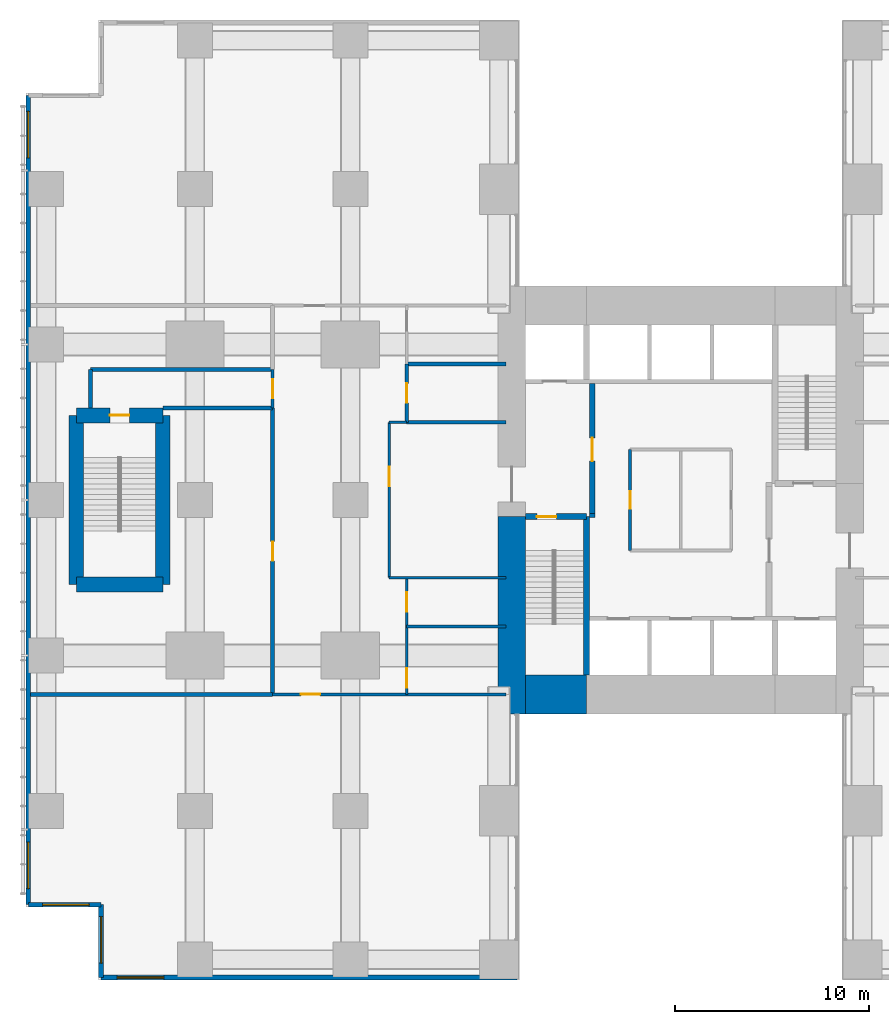
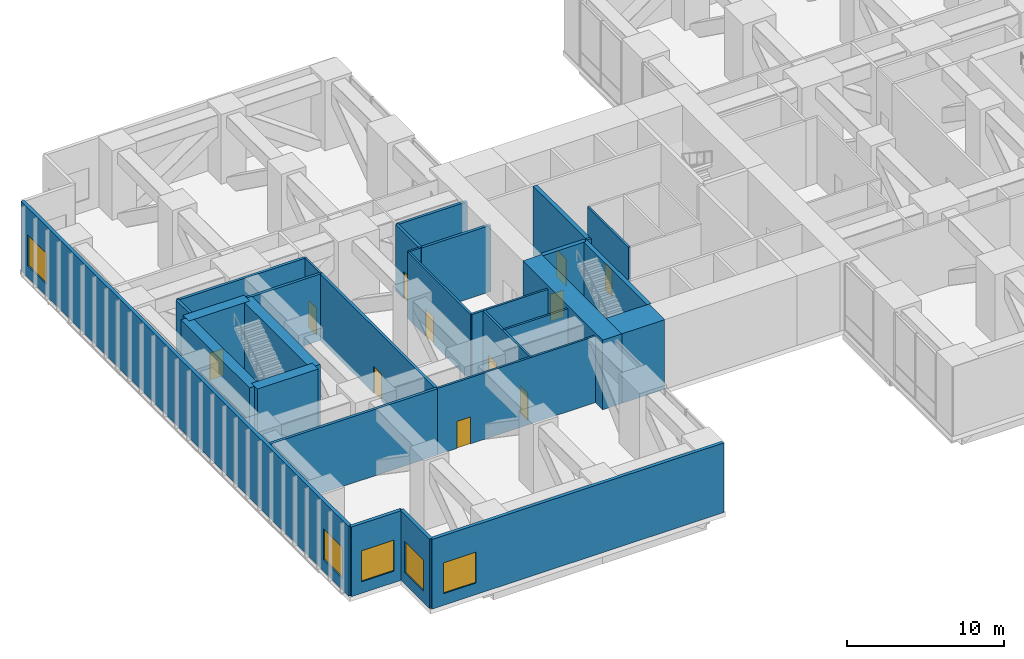
# One storey, part 11 of 15: 30 walls, 11 doors, 5 windows, 16 openings.
"""IFC4 building model written with IfcOpenShell, lengths in metres."""

from ifc_helpers import new_model, si_unit, direction, frame, frame_2d, origin, place, context, subcontext, project, spatial, rectangle, extrude, material, layer, layer_set, type_object, element, fill, save


model = new_model("IFC4")

# Units and contexts
model_context = context("Model", 3, precision=1e-05, world=origin(), true_north=direction((0.0, 1.0)))
body_context = subcontext(model_context, "Body", "Model", "MODEL_VIEW")
ifc_project = project(units=[si_unit("LENGTHUNIT", "METRE"), si_unit("AREAUNIT", "SQUARE_METRE"), si_unit("VOLUMEUNIT", "CUBIC_METRE"), si_unit("PLANEANGLEUNIT", "RADIAN"), si_unit("MASSUNIT", "GRAM", prefix="KILO")], contexts=[model_context])

# Site, building, storey
site_placement = place(None, origin())
site = spatial("IfcSite", under=ifc_project, at=site_placement, CompositionType="ELEMENT")
building_placement = place(site_placement, origin())
building = spatial("IfcBuilding", under=site, at=building_placement, Name="Cleftline Residences", CompositionType="ELEMENT")
storey_placement = place(building_placement, frame((0.0, 0.0, 171.800048828125)))
storey = spatial("IfcBuildingStorey", under=building, at=storey_placement, Name="L45", CompositionType="ELEMENT", Elevation=171.800048828125)

# Walls
ifc_material_1 = material(Name="Concrete B70", Category="concrete")
ifc_layer_1 = layer(ifc_material_1, 1.39990234375)
ifc_layer_set_1 = layer_set([ifc_layer_1], Name="CORE WALL 1400")
wall_type_1 = type_object("IfcWallType", Name="CORE WALL 1400", PredefinedType="SHEAR", material=ifc_layer_set_1)
wall_1_placement = place(storey_placement, frame((24.300048828125, 13.0, 0.0), z_axis=(0.0, 0.0, 1.0), x_axis=(0.0, 1.0, 0.0)))
element("IfcWall", 1, at=wall_1_placement, inside=storey, type_object=wall_type_1, Name="Core wall W0", PredefinedType="SHEAR", context=body_context, shape_type="SweptSolid", body=[
    extrude(rectangle(XDim=10.14990234375, YDim=1.39990234375, at=frame_2d((5.074951171875, 0.0))), origin(), (0.0, 0.0, 1.0), 5.39990234375),
])
ifc_material_2 = material(Name="Concrete B70", Category="concrete")
ifc_layer_2 = layer(ifc_material_2, 2.0)
ifc_layer_set_2 = layer_set([ifc_layer_2], Name="CORE WALL 2000")
wall_type_2 = type_object("IfcWallType", Name="CORE WALL 2000", PredefinedType="SHEAR", material=ifc_layer_set_2)
wall_2_placement = place(storey_placement, frame((25.0, 14.0, 0.0), z_axis=(0.0, 0.0, 1.0), x_axis=(1.0, 0.0, 0.0)))
element("IfcWall", 2, at=wall_2_placement, inside=storey, type_object=wall_type_2, Name="Core wall S1", PredefinedType="SHEAR", context=body_context, shape_type="SweptSolid", body=[
    extrude(rectangle(XDim=3.14990234375, YDim=2.0, at=frame_2d((1.574951171875, 0.0))), origin(), (0.0, 0.0, 1.0), 5.39990234375),
])
ifc_material_3 = material(Name="Concrete B70", Category="concrete")
ifc_layer_3 = layer(ifc_material_3, 0.300048828125)
ifc_layer_set_3 = layer_set([ifc_layer_3], Name="CORE WALL 300")
wall_type_3 = type_object("IfcWallType", Name="CORE WALL 300", PredefinedType="SHEAR", material=ifc_layer_set_3)
wall_3_placement = place(storey_placement, frame((28.14990234375, 15.0, 0.0), z_axis=(0.0, 0.0, 1.0), x_axis=(0.0, 1.0, 0.0)))
element("IfcWall", 3, at=wall_3_placement, inside=storey, type_object=wall_type_3, Name="Core wall SA-E", PredefinedType="SHEAR", context=body_context, shape_type="SweptSolid", body=[
    extrude(rectangle(XDim=8.14990234375, YDim=0.300048828125, at=frame_2d((4.074951171875, 0.0))), origin(), (0.0, 0.0, 1.0), 5.39990234375),
])

# Wall, opening, door
wall_4_placement = place(storey_placement, frame((25.0, 23.14990234375, 0.0), z_axis=(0.0, 0.0, 1.0), x_axis=(1.0, 0.0, 0.0)))
wall_4 = element("IfcWall", 4, at=wall_4_placement, inside=storey, type_object=wall_type_3, Name="Core wall SA-N", PredefinedType="SHEAR", context=body_context, shape_type="SweptSolid", body=[
    extrude(rectangle(XDim=3.14990234375, YDim=0.300048828125, at=frame_2d((1.574951171875, 0.0))), origin(), (0.0, 0.0, 1.0), 5.39990234375),
])
opening_1_placement = place(wall_4_placement, frame((0.60009765625, 0.0, 0.0)))
opening_1 = element("IfcOpeningElement", 5, at=opening_1_placement, cuts=wall_4, Name="Opening D5", PredefinedType="OPENING", context=body_context, shape_type="SweptSolid", body=[
    extrude(rectangle(XDim=1.0, YDim=2.10009765625, at=frame_2d((0.5, 1.050048828125))), frame((0.0, 0.159912109375, 0.0), z_axis=(0.0, -1.0, 0.0), x_axis=(1.0, 0.0, 0.0)), (0.0, 0.0, 1.0), 0.320068359375),
])
ifc_material_4 = material(Name="Steel", Category="steel")
door_type_1 = type_object("IfcDoorType", Name="STAIR DOOR 1000X2100", OperationType="SINGLE_SWING_LEFT", PredefinedType="DOOR", material=ifc_material_4)
door_1_placement = place(opening_1_placement, origin())
door_1 = element("IfcDoor", 6, at=door_1_placement, inside=storey, type_object=door_type_1, Name="Stair A door", OperationType="SINGLE_SWING_RIGHT", OverallHeight=2.10009765625, OverallWidth=1.0, PredefinedType="DOOR", context=body_context, shape_type="SweptSolid", body=[
    extrude(rectangle(XDim=1.0, YDim=2.10009765625, at=frame_2d((0.5, 1.050048828125))), frame((0.0, 0.02490234375, 0.0), z_axis=(0.0, -1.0, 0.0), x_axis=(1.0, 0.0, 0.0)), (0.0, 0.0, 1.0), 0.050048828125),
])
fill(opening_1, door_1)

# Wall, openings, windows
ifc_material_5 = material(Name="Rendered reinforced concrete blockwork", Category="masonry")
ifc_layer_4 = layer(ifc_material_5, 0.25)
ifc_layer_set_4 = layer_set([ifc_layer_4], Name="EXTERNAL WALL 250")
wall_type_4 = type_object("IfcWallType", Name="EXTERNAL WALL 250", PredefinedType="SOLIDWALL", material=ifc_layer_set_4)
wall_5_placement = place(storey_placement, frame((-0.574951171875, 44.824951171875, 0.0), z_axis=(0.0, 0.0, 1.0), x_axis=(0.0, -1.0, 0.0)))
wall_5 = element("IfcWall", 7, at=wall_5_placement, inside=storey, type_object=wall_type_4, Name="External wall", PredefinedType="SOLIDWALL", context=body_context, shape_type="SweptSolid", body=[
    extrude(rectangle(XDim=41.64990234375, YDim=0.25, at=frame_2d((20.824951171875, 0.0))), origin(), (0.0, 0.0, 1.0), 5.39990234375),
])
opening_2_placement = place(wall_5_placement, frame((0.824951171875, 0.0, 0.89990234375)))
opening_2 = element("IfcOpeningElement", 8, at=opening_2_placement, cuts=wall_5, Name="Opening W9", PredefinedType="OPENING", context=body_context, shape_type="SweptSolid", body=[
    extrude(rectangle(XDim=2.39990234375, YDim=2.39990234375, at=frame_2d((1.199951171875, 1.199951171875))), frame((0.0, 0.135009765625, 0.0), z_axis=(0.0, -1.0, 0.0), x_axis=(1.0, 0.0, 0.0)), (0.0, 0.0, 1.0), 0.27001953125),
])
opening_3_placement = place(wall_5_placement, frame((38.425048828125, 0.0, 0.89990234375)))
opening_3 = element("IfcOpeningElement", 9, at=opening_3_placement, cuts=wall_5, Name="Opening W9", PredefinedType="OPENING", context=body_context, shape_type="SweptSolid", body=[
    extrude(rectangle(XDim=2.39990234375, YDim=2.39990234375, at=frame_2d((1.199951171875, 1.199951171875))), frame((0.0, 0.135009765625, 0.0), z_axis=(0.0, -1.0, 0.0), x_axis=(1.0, 0.0, 0.0)), (0.0, 0.0, 1.0), 0.27001953125),
])
ifc_material_6 = material(Name="Aluminium frame, clear double glazing", Category="aluminium")
window_type = type_object("IfcWindowType", Name="WINDOW 2400X2400", PartitioningType="DOUBLE_PANEL_VERTICAL", PredefinedType="WINDOW", material=ifc_material_6)
window_1_placement = place(opening_2_placement, origin())
window_1 = element("IfcWindow", 10, at=window_1_placement, inside=storey, type_object=window_type, Name="Window", OverallHeight=2.39990234375, OverallWidth=2.39990234375, PartitioningType="SINGLE_PANEL", PredefinedType="WINDOW", context=body_context, shape_type="SweptSolid", body=[
    extrude(rectangle(XDim=2.39990234375, YDim=2.39990234375, at=frame_2d((1.199951171875, 1.199951171875))), frame((0.0, 0.030029296875, 0.0), z_axis=(0.0, -1.0, 0.0), x_axis=(1.0, 0.0, 0.0)), (0.0, 0.0, 1.0), 0.06005859375),
])
fill(opening_2, window_1)
window_2_placement = place(opening_3_placement, origin())
window_2 = element("IfcWindow", 11, at=window_2_placement, inside=storey, type_object=window_type, Name="Window", OverallHeight=2.39990234375, OverallWidth=2.39990234375, PartitioningType="SINGLE_PANEL", PredefinedType="WINDOW", context=body_context, shape_type="SweptSolid", body=[
    extrude(rectangle(XDim=2.39990234375, YDim=2.39990234375, at=frame_2d((1.199951171875, 1.199951171875))), frame((0.0, 0.030029296875, 0.0), z_axis=(0.0, -1.0, 0.0), x_axis=(1.0, 0.0, 0.0)), (0.0, 0.0, 1.0), 0.06005859375),
])
fill(opening_3, window_2)

# Wall, opening, window
wall_6_placement = place(storey_placement, frame((-0.574951171875, 3.175048828125, 0.0), z_axis=(0.0, 0.0, 1.0), x_axis=(1.0, 0.0, 0.0)))
wall_6 = element("IfcWall", 12, at=wall_6_placement, inside=storey, type_object=wall_type_4, Name="External wall", PredefinedType="SOLIDWALL", context=body_context, shape_type="SweptSolid", body=[
    extrude(rectangle(XDim=3.75, YDim=0.25, at=frame_2d((1.875, 0.0))), origin(), (0.0, 0.0, 1.0), 5.39990234375),
])
opening_4_placement = place(wall_6_placement, frame((0.737548828125, 0.0, 0.89990234375)))
opening_4 = element("IfcOpeningElement", 13, at=opening_4_placement, cuts=wall_6, Name="Opening W9", PredefinedType="OPENING", context=body_context, shape_type="SweptSolid", body=[
    extrude(rectangle(XDim=2.39990234375, YDim=2.39990234375, at=frame_2d((1.199951171875, 1.199951171875))), frame((0.0, 0.135009765625, 0.0), z_axis=(0.0, -1.0, 0.0), x_axis=(1.0, 0.0, 0.0)), (0.0, 0.0, 1.0), 0.27001953125),
])
window_3_placement = place(opening_4_placement, origin())
window_3 = element("IfcWindow", 14, at=window_3_placement, inside=storey, type_object=window_type, Name="Window", OverallHeight=2.39990234375, OverallWidth=2.39990234375, PartitioningType="SINGLE_PANEL", PredefinedType="WINDOW", context=body_context, shape_type="SweptSolid", body=[
    extrude(rectangle(XDim=2.39990234375, YDim=2.39990234375, at=frame_2d((1.199951171875, 1.199951171875))), frame((0.0, 0.030029296875, 0.0), z_axis=(0.0, -1.0, 0.0), x_axis=(1.0, 0.0, 0.0)), (0.0, 0.0, 1.0), 0.06005859375),
])
fill(opening_4, window_3)

wall_7_placement = place(storey_placement, frame((3.175048828125, 3.175048828125, 0.0), z_axis=(0.0, 0.0, 1.0), x_axis=(0.0, -1.0, 0.0)))
wall_7 = element("IfcWall", 15, at=wall_7_placement, inside=storey, type_object=wall_type_4, Name="External wall", PredefinedType="SOLIDWALL", context=body_context, shape_type="SweptSolid", body=[
    extrude(rectangle(XDim=3.75, YDim=0.25, at=frame_2d((1.875, 0.0))), origin(), (0.0, 0.0, 1.0), 5.39990234375),
])
opening_5_placement = place(wall_7_placement, frame((0.612548828125, 0.0, 0.89990234375)))
opening_5 = element("IfcOpeningElement", 16, at=opening_5_placement, cuts=wall_7, Name="Opening W9", PredefinedType="OPENING", context=body_context, shape_type="SweptSolid", body=[
    extrude(rectangle(XDim=2.39990234375, YDim=2.39990234375, at=frame_2d((1.199951171875, 1.199951171875))), frame((0.0, 0.135009765625, 0.0), z_axis=(0.0, -1.0, 0.0), x_axis=(1.0, 0.0, 0.0)), (0.0, 0.0, 1.0), 0.27001953125),
])
window_4_placement = place(opening_5_placement, origin())
window_4 = element("IfcWindow", 17, at=window_4_placement, inside=storey, type_object=window_type, Name="Window", OverallHeight=2.39990234375, OverallWidth=2.39990234375, PartitioningType="SINGLE_PANEL", PredefinedType="WINDOW", context=body_context, shape_type="SweptSolid", body=[
    extrude(rectangle(XDim=2.39990234375, YDim=2.39990234375, at=frame_2d((1.199951171875, 1.199951171875))), frame((0.0, 0.030029296875, 0.0), z_axis=(0.0, -1.0, 0.0), x_axis=(1.0, 0.0, 0.0)), (0.0, 0.0, 1.0), 0.06005859375),
])
fill(opening_5, window_4)

wall_8_placement = place(storey_placement, frame((3.175048828125, -0.574951171875, 0.0), z_axis=(0.0, 0.0, 1.0), x_axis=(1.0, 0.0, 0.0)))
wall_8 = element("IfcWall", 18, at=wall_8_placement, inside=storey, type_object=wall_type_4, Name="External wall", PredefinedType="SOLIDWALL", context=body_context, shape_type="SweptSolid", body=[
    extrude(rectangle(XDim=21.39990234375, YDim=0.25, at=frame_2d((10.699951171875, 0.0))), origin(), (0.0, 0.0, 1.0), 5.39990234375),
])
opening_6_placement = place(wall_8_placement, frame((0.824951171875, 0.0, 0.89990234375)))
opening_6 = element("IfcOpeningElement", 19, at=opening_6_placement, cuts=wall_8, Name="Opening W9", PredefinedType="OPENING", context=body_context, shape_type="SweptSolid", body=[
    extrude(rectangle(XDim=2.39990234375, YDim=2.39990234375, at=frame_2d((1.199951171875, 1.199951171875))), frame((0.0, 0.135009765625, 0.0), z_axis=(0.0, -1.0, 0.0), x_axis=(1.0, 0.0, 0.0)), (0.0, 0.0, 1.0), 0.27001953125),
])
window_5_placement = place(opening_6_placement, origin())
window_5 = element("IfcWindow", 20, at=window_5_placement, inside=storey, type_object=window_type, Name="Window", OverallHeight=2.39990234375, OverallWidth=2.39990234375, PartitioningType="SINGLE_PANEL", PredefinedType="WINDOW", context=body_context, shape_type="SweptSolid", body=[
    extrude(rectangle(XDim=2.39990234375, YDim=2.39990234375, at=frame_2d((1.199951171875, 1.199951171875))), frame((0.0, 0.030029296875, 0.0), z_axis=(0.0, -1.0, 0.0), x_axis=(1.0, 0.0, 0.0)), (0.0, 0.0, 1.0), 0.06005859375),
])
fill(opening_6, window_5)

# Walls
ifc_material_7 = material(Name="Concrete blockwork, fire rated", Category="masonry")
ifc_layer_5 = layer(ifc_material_7, 0.199951171875)
ifc_layer_set_5 = layer_set([ifc_layer_5], Name="FIRE WALL 200")
wall_type_5 = type_object("IfcWallType", Name="FIRE WALL 200", PredefinedType="PARTITIONING", material=ifc_layer_set_5)
wall_9_placement = place(storey_placement, frame((-0.449951171875, 14.0, 0.0), z_axis=(0.0, 0.0, 1.0), x_axis=(1.0, 0.0, 0.0)))
element("IfcWall", 21, at=wall_9_placement, inside=storey, type_object=wall_type_5, Name="Fire separating wall", PredefinedType="PARTITIONING", context=body_context, shape_type="SweptSolid", body=[
    extrude(rectangle(XDim=12.449951171875, YDim=0.199951171875, at=frame_2d((6.22509765625, 0.0))), origin(), (0.0, 0.0, 1.0), 5.14990234375),
])
wall_10_placement = place(storey_placement, frame((18.89990234375, 28.0, 0.0), z_axis=(0.0, 0.0, 1.0), x_axis=(1.0, 0.0, 0.0)))
element("IfcWall", 22, at=wall_10_placement, inside=storey, type_object=wall_type_5, Name="Fire separating wall", PredefinedType="PARTITIONING", context=body_context, shape_type="SweptSolid", body=[
    extrude(rectangle(XDim=5.10009765625, YDim=0.199951171875, at=frame_2d((2.550048828125, 0.0))), origin(), (0.0, 0.0, 1.0), 5.14990234375),
])
wall_11_placement = place(storey_placement, frame((6.35009765625, 28.72509765625, 0.0), z_axis=(0.0, 0.0, 1.0), x_axis=(1.0, 0.0, 0.0)))
element("IfcWall", 23, at=wall_11_placement, inside=storey, type_object=wall_type_5, Name="Fire separating wall", PredefinedType="PARTITIONING", context=body_context, shape_type="SweptSolid", body=[
    extrude(rectangle(XDim=5.64990234375, YDim=0.199951171875, at=frame_2d((2.824951171875, 0.0))), origin(), (0.0, 0.0, 1.0), 5.14990234375),
])
wall_12_placement = place(storey_placement, frame((2.625, 30.72509765625, 0.0), z_axis=(0.0, 0.0, 1.0), x_axis=(1.0, 0.0, 0.0)))
element("IfcWall", 24, at=wall_12_placement, inside=storey, type_object=wall_type_5, Name="Fire separating wall", PredefinedType="PARTITIONING", context=body_context, shape_type="SweptSolid", body=[
    extrude(rectangle(XDim=9.375, YDim=0.199951171875, at=frame_2d((4.6875, 0.0))), origin(), (0.0, 0.0, 1.0), 5.14990234375),
])
wall_13_placement = place(storey_placement, frame((18.89990234375, 31.0, 0.0), z_axis=(0.0, 0.0, 1.0), x_axis=(1.0, 0.0, 0.0)))
element("IfcWall", 25, at=wall_13_placement, inside=storey, type_object=wall_type_5, Name="Fire separating wall", PredefinedType="PARTITIONING", context=body_context, shape_type="SweptSolid", body=[
    extrude(rectangle(XDim=5.10009765625, YDim=0.199951171875, at=frame_2d((2.550048828125, 0.0))), origin(), (0.0, 0.0, 1.0), 5.14990234375),
])
wall_14_placement = place(storey_placement, frame((2.625, 28.72509765625, 0.0), z_axis=(0.0, 0.0, 1.0), x_axis=(0.0, 1.0, 0.0)))
element("IfcWall", 26, at=wall_14_placement, inside=storey, type_object=wall_type_5, Name="Fire separating wall", PredefinedType="PARTITIONING", context=body_context, shape_type="SweptSolid", body=[
    extrude(rectangle(XDim=2.0, YDim=0.199951171875, at=frame_2d((1.0, 0.0))), origin(), (0.0, 0.0, 1.0), 5.14990234375),
])

# Wall, opening, door
wall_15_placement = place(storey_placement, frame((12.0, 14.0, 0.0), z_axis=(0.0, 0.0, 1.0), x_axis=(0.0, 1.0, 0.0)))
wall_15 = element("IfcWall", 27, at=wall_15_placement, inside=storey, type_object=wall_type_5, Name="Fire separating wall", PredefinedType="PARTITIONING", context=body_context, shape_type="SweptSolid", body=[
    extrude(rectangle(XDim=14.72509765625, YDim=0.199951171875, at=frame_2d((7.362548828125, 0.0))), origin(), (0.0, 0.0, 1.0), 5.14990234375),
])
opening_7_placement = place(wall_15_placement, frame((6.862548828125, 0.0, 0.0)))
opening_7 = element("IfcOpeningElement", 28, at=opening_7_placement, cuts=wall_15, Name="Opening D2F60", PredefinedType="OPENING", context=body_context, shape_type="SweptSolid", body=[
    extrude(rectangle(XDim=1.0, YDim=2.10009765625, at=frame_2d((0.5, 1.050048828125))), frame((0.0, 0.10986328125, 0.0), z_axis=(0.0, -1.0, 0.0), x_axis=(1.0, 0.0, 0.0)), (0.0, 0.0, 1.0), 0.219970703125),
])
ifc_material_8 = material(Name="Timber veneer on solid core", Category="wood")
door_type_2 = type_object("IfcDoorType", Name="DOOR 1000X2100 EI 60", OperationType="SINGLE_SWING_LEFT", PredefinedType="DOOR", material=ifc_material_8)
door_2_placement = place(opening_7_placement, origin())
door_2 = element("IfcDoor", 29, at=door_2_placement, inside=storey, type_object=door_type_2, Name="Door to mechanical plant room", OperationType="SINGLE_SWING_LEFT", OverallHeight=2.10009765625, OverallWidth=1.0, PredefinedType="DOOR", context=body_context, shape_type="SweptSolid", body=[
    extrude(rectangle(XDim=1.0, YDim=2.10009765625, at=frame_2d((0.5, 1.050048828125))), frame((0.0, 0.02490234375, 0.0), z_axis=(0.0, -1.0, 0.0), x_axis=(1.0, 0.0, 0.0)), (0.0, 0.0, 1.0), 0.050048828125),
])
fill(opening_7, door_2)

wall_16_placement = place(storey_placement, frame((18.89990234375, 28.0, 0.0), z_axis=(0.0, 0.0, 1.0), x_axis=(0.0, 1.0, 0.0)))
wall_16 = element("IfcWall", 30, at=wall_16_placement, inside=storey, type_object=wall_type_5, Name="Fire separating wall", PredefinedType="PARTITIONING", context=body_context, shape_type="SweptSolid", body=[
    extrude(rectangle(XDim=3.0, YDim=0.199951171875, at=frame_2d((1.5, 0.0))), origin(), (0.0, 0.0, 1.0), 5.14990234375),
])
opening_8_placement = place(wall_16_placement, frame((1.0, 0.0, 0.0)))
opening_8 = element("IfcOpeningElement", 31, at=opening_8_placement, cuts=wall_16, Name="Opening D2F60", PredefinedType="OPENING", context=body_context, shape_type="SweptSolid", body=[
    extrude(rectangle(XDim=1.0, YDim=2.10009765625, at=frame_2d((0.5, 1.050048828125))), frame((0.0, 0.10986328125, 0.0), z_axis=(0.0, -1.0, 0.0), x_axis=(1.0, 0.0, 0.0)), (0.0, 0.0, 1.0), 0.219970703125),
])
door_3_placement = place(opening_8_placement, origin())
door_3 = element("IfcDoor", 32, at=door_3_placement, inside=storey, type_object=door_type_2, Name="Door to water tank room", OperationType="SINGLE_SWING_LEFT", OverallHeight=2.10009765625, OverallWidth=1.0, PredefinedType="DOOR", context=body_context, shape_type="SweptSolid", body=[
    extrude(rectangle(XDim=1.0, YDim=2.10009765625, at=frame_2d((0.5, 1.050048828125))), frame((0.0, 0.02490234375, 0.0), z_axis=(0.0, -1.0, 0.0), x_axis=(1.0, 0.0, 0.0)), (0.0, 0.0, 1.0), 0.050048828125),
])
fill(opening_8, door_3)

# Wall
wall_17_placement = place(storey_placement, frame((28.300048828125, 23.199951171875, 0.0), z_axis=(0.0, 0.0, 1.0), x_axis=(1.0, 0.0, 0.0)))
element("IfcWall", 33, at=wall_17_placement, inside=storey, type_object=wall_type_5, Name="Fire separating wall", PredefinedType="PARTITIONING", context=body_context, shape_type="SweptSolid", body=[
    extrude(rectangle(XDim=0.300048828125, YDim=0.199951171875, at=frame_2d((0.14990234375, 0.0))), origin(), (0.0, 0.0, 1.0), 5.39990234375),
])

# Wall, opening, door
ifc_material_9 = material(Name="Gypsum board on steel studs", Category="steel")
ifc_layer_6 = layer(ifc_material_9, 0.14990234375)
ifc_layer_set_6 = layer_set([ifc_layer_6], Name="PARTITION 150")
wall_type_6 = type_object("IfcWallType", Name="PARTITION 150", PredefinedType="PARTITIONING", material=ifc_layer_set_6)
wall_18_placement = place(storey_placement, frame((12.0, 14.0, 0.0), z_axis=(0.0, 0.0, 1.0), x_axis=(1.0, 0.0, 0.0)))
wall_18 = element("IfcWall", 34, at=wall_18_placement, inside=storey, type_object=wall_type_6, Name="Partition", PredefinedType="PARTITIONING", context=body_context, shape_type="SweptSolid", body=[
    extrude(rectangle(XDim=12.0, YDim=0.14990234375, at=frame_2d((6.0, 0.0))), origin(), (0.0, 0.0, 1.0), 5.14990234375),
])
opening_9_placement = place(wall_18_placement, frame((1.449951171875, 0.0, 0.0)))
opening_9 = element("IfcOpeningElement", 35, at=opening_9_placement, cuts=wall_18, Name="Opening D2F60", PredefinedType="OPENING", context=body_context, shape_type="SweptSolid", body=[
    extrude(rectangle(XDim=1.0, YDim=2.10009765625, at=frame_2d((0.5, 1.050048828125))), frame((0.0, 0.0849609375, 0.0), z_axis=(0.0, -1.0, 0.0), x_axis=(1.0, 0.0, 0.0)), (0.0, 0.0, 1.0), 0.169921875),
])
door_4_placement = place(opening_9_placement, origin())
door_4 = element("IfcDoor", 36, at=door_4_placement, inside=storey, type_object=door_type_2, Name="Door to refuge area", OperationType="SINGLE_SWING_RIGHT", OverallHeight=2.10009765625, OverallWidth=1.0, PredefinedType="DOOR", context=body_context, shape_type="SweptSolid", body=[
    extrude(rectangle(XDim=1.0, YDim=2.10009765625, at=frame_2d((0.5, 1.050048828125))), frame((0.0, 0.02490234375, 0.0), z_axis=(0.0, -1.0, 0.0), x_axis=(1.0, 0.0, 0.0)), (0.0, 0.0, 1.0), 0.050048828125),
])
fill(opening_9, door_4)

# Walls
wall_19_placement = place(storey_placement, frame((18.89990234375, 17.5, 0.0), z_axis=(0.0, 0.0, 1.0), x_axis=(1.0, 0.0, 0.0)))
element("IfcWall", 37, at=wall_19_placement, inside=storey, type_object=wall_type_6, Name="Partition", PredefinedType="PARTITIONING", context=body_context, shape_type="SweptSolid", body=[
    extrude(rectangle(XDim=5.10009765625, YDim=0.14990234375, at=frame_2d((2.550048828125, 0.0))), origin(), (0.0, 0.0, 1.0), 5.14990234375),
])
wall_20_placement = place(storey_placement, frame((18.0, 20.0, 0.0), z_axis=(0.0, 0.0, 1.0), x_axis=(1.0, 0.0, 0.0)))
element("IfcWall", 38, at=wall_20_placement, inside=storey, type_object=wall_type_6, Name="Partition", PredefinedType="PARTITIONING", context=body_context, shape_type="SweptSolid", body=[
    extrude(rectangle(XDim=6.0, YDim=0.14990234375, at=frame_2d((3.0, 0.0))), origin(), (0.0, 0.0, 1.0), 5.14990234375),
])
wall_21_placement = place(storey_placement, frame((18.0, 28.0, 0.0), z_axis=(0.0, 0.0, 1.0), x_axis=(1.0, 0.0, 0.0)))
element("IfcWall", 39, at=wall_21_placement, inside=storey, type_object=wall_type_6, Name="Partition", PredefinedType="PARTITIONING", context=body_context, shape_type="SweptSolid", body=[
    extrude(rectangle(XDim=0.89990234375, YDim=0.14990234375, at=frame_2d((0.449951171875, 0.0))), origin(), (0.0, 0.0, 1.0), 5.14990234375),
])

# Wall, opening, door
wall_22_placement = place(storey_placement, frame((12.0, 28.72509765625, 0.0), z_axis=(0.0, 0.0, 1.0), x_axis=(0.0, 1.0, 0.0)))
wall_22 = element("IfcWall", 40, at=wall_22_placement, inside=storey, type_object=wall_type_6, Name="Partition", PredefinedType="PARTITIONING", context=body_context, shape_type="SweptSolid", body=[
    extrude(rectangle(XDim=2.0, YDim=0.14990234375, at=frame_2d((1.0, 0.0))), origin(), (0.0, 0.0, 1.0), 5.14990234375),
])
opening_10_placement = place(wall_22_placement, frame((0.5, 0.0, 0.0)))
opening_10 = element("IfcOpeningElement", 41, at=opening_10_placement, cuts=wall_22, Name="Opening D2F30", PredefinedType="OPENING", context=body_context, shape_type="SweptSolid", body=[
    extrude(rectangle(XDim=1.0, YDim=2.10009765625, at=frame_2d((0.5, 1.050048828125))), frame((0.0, 0.0849609375, 0.0), z_axis=(0.0, -1.0, 0.0), x_axis=(1.0, 0.0, 0.0)), (0.0, 0.0, 1.0), 0.169921875),
])
ifc_material_10 = material(Name="Timber veneer on solid core", Category="wood")
door_type_3 = type_object("IfcDoorType", Name="DOOR 1000X2100 EI 30", OperationType="SINGLE_SWING_LEFT", PredefinedType="DOOR", material=ifc_material_10)
door_5_placement = place(opening_10_placement, origin())
door_5 = element("IfcDoor", 42, at=door_5_placement, inside=storey, type_object=door_type_3, Name="Door to stair lobby", OperationType="SINGLE_SWING_LEFT", OverallHeight=2.10009765625, OverallWidth=1.0, PredefinedType="DOOR", context=body_context, shape_type="SweptSolid", body=[
    extrude(rectangle(XDim=1.0, YDim=2.10009765625, at=frame_2d((0.5, 1.050048828125))), frame((0.0, 0.02490234375, 0.0), z_axis=(0.0, -1.0, 0.0), x_axis=(1.0, 0.0, 0.0)), (0.0, 0.0, 1.0), 0.050048828125),
])
fill(opening_10, door_5)

wall_23_placement = place(storey_placement, frame((18.0, 20.0, 0.0), z_axis=(0.0, 0.0, 1.0), x_axis=(0.0, 1.0, 0.0)))
wall_23 = element("IfcWall", 43, at=wall_23_placement, inside=storey, type_object=wall_type_6, Name="Partition", PredefinedType="PARTITIONING", context=body_context, shape_type="SweptSolid", body=[
    extrude(rectangle(XDim=8.0, YDim=0.14990234375, at=frame_2d((4.0, 0.0))), origin(), (0.0, 0.0, 1.0), 5.14990234375),
])
opening_11_placement = place(wall_23_placement, frame((4.699951171875, 0.0, 0.0)))
opening_11 = element("IfcOpeningElement", 44, at=opening_11_placement, cuts=wall_23, Name="Opening D2F30", PredefinedType="OPENING", context=body_context, shape_type="SweptSolid", body=[
    extrude(rectangle(XDim=1.0, YDim=2.10009765625, at=frame_2d((0.5, 1.050048828125))), frame((0.0, 0.0849609375, 0.0), z_axis=(0.0, -1.0, 0.0), x_axis=(1.0, 0.0, 0.0)), (0.0, 0.0, 1.0), 0.169921875),
])
door_6_placement = place(opening_11_placement, origin())
door_6 = element("IfcDoor", 45, at=door_6_placement, inside=storey, type_object=door_type_3, Name="Door to corridor", OperationType="SINGLE_SWING_LEFT", OverallHeight=2.10009765625, OverallWidth=1.0, PredefinedType="DOOR", context=body_context, shape_type="SweptSolid", body=[
    extrude(rectangle(XDim=1.0, YDim=2.10009765625, at=frame_2d((0.5, 1.050048828125))), frame((0.0, 0.02490234375, 0.0), z_axis=(0.0, -1.0, 0.0), x_axis=(1.0, 0.0, 0.0)), (0.0, 0.0, 1.0), 0.050048828125),
])
fill(opening_11, door_6)

# Wall, openings, doors
wall_24_placement = place(storey_placement, frame((18.89990234375, 14.0, 0.0), z_axis=(0.0, 0.0, 1.0), x_axis=(0.0, 1.0, 0.0)))
wall_24 = element("IfcWall", 46, at=wall_24_placement, inside=storey, type_object=wall_type_6, Name="Partition", PredefinedType="PARTITIONING", context=body_context, shape_type="SweptSolid", body=[
    extrude(rectangle(XDim=6.0, YDim=0.14990234375, at=frame_2d((3.0, 0.0))), origin(), (0.0, 0.0, 1.0), 5.14990234375),
])
opening_12_placement = place(wall_24_placement, frame((0.35009765625, 0.0, 0.0)))
opening_12 = element("IfcOpeningElement", 47, at=opening_12_placement, cuts=wall_24, Name="Opening D2F60", PredefinedType="OPENING", context=body_context, shape_type="SweptSolid", body=[
    extrude(rectangle(XDim=1.0, YDim=2.10009765625, at=frame_2d((0.5, 1.050048828125))), frame((0.0, 0.0849609375, 0.0), z_axis=(0.0, -1.0, 0.0), x_axis=(1.0, 0.0, 0.0)), (0.0, 0.0, 1.0), 0.169921875),
])
opening_13_placement = place(wall_24_placement, frame((4.25, 0.0, 0.0)))
opening_13 = element("IfcOpeningElement", 48, at=opening_13_placement, cuts=wall_24, Name="Opening D2F60", PredefinedType="OPENING", context=body_context, shape_type="SweptSolid", body=[
    extrude(rectangle(XDim=1.0, YDim=2.10009765625, at=frame_2d((0.5, 1.050048828125))), frame((0.0, 0.0849609375, 0.0), z_axis=(0.0, -1.0, 0.0), x_axis=(1.0, 0.0, 0.0)), (0.0, 0.0, 1.0), 0.169921875),
])
door_7_placement = place(opening_12_placement, origin())
door_7 = element("IfcDoor", 49, at=door_7_placement, inside=storey, type_object=door_type_2, Name="Door to electrical room", OperationType="SINGLE_SWING_RIGHT", OverallHeight=2.10009765625, OverallWidth=1.0, PredefinedType="DOOR", context=body_context, shape_type="SweptSolid", body=[
    extrude(rectangle(XDim=1.0, YDim=2.10009765625, at=frame_2d((0.5, 1.050048828125))), frame((0.0, 0.02490234375, 0.0), z_axis=(0.0, -1.0, 0.0), x_axis=(1.0, 0.0, 0.0)), (0.0, 0.0, 1.0), 0.050048828125),
])
fill(opening_12, door_7)
door_8_placement = place(opening_13_placement, origin())
door_8 = element("IfcDoor", 50, at=door_8_placement, inside=storey, type_object=door_type_2, Name="Door to fire pump room", OperationType="SINGLE_SWING_LEFT", OverallHeight=2.10009765625, OverallWidth=1.0, PredefinedType="DOOR", context=body_context, shape_type="SweptSolid", body=[
    extrude(rectangle(XDim=1.0, YDim=2.10009765625, at=frame_2d((0.5, 1.050048828125))), frame((0.0, 0.02490234375, 0.0), z_axis=(0.0, -1.0, 0.0), x_axis=(1.0, 0.0, 0.0)), (0.0, 0.0, 1.0), 0.050048828125),
])
fill(opening_13, door_8)

# Wall, opening, door
ifc_material_11 = material(Name="Fire-resisting gypsum board on steel studs", Category="steel")
ifc_layer_7 = layer(ifc_material_11, 0.14990234375)
ifc_layer_set_7 = layer_set([ifc_layer_7], Name="PARTITION 150 EI 60")
wall_type_7 = type_object("IfcWallType", Name="PARTITION 150 EI 60", PredefinedType="PARTITIONING", material=ifc_layer_set_7)
wall_25_placement = place(storey_placement, frame((30.39990234375, 21.39990234375, 0.0), z_axis=(0.0, 0.0, 1.0), x_axis=(0.0, 1.0, 0.0)))
wall_25 = element("IfcWall", 51, at=wall_25_placement, inside=storey, type_object=wall_type_7, Name="Core room partition", PredefinedType="PARTITIONING", context=body_context, shape_type="SweptSolid", body=[
    extrude(rectangle(XDim=5.2001953125, YDim=0.14990234375, at=frame_2d((2.60009765625, 0.0))), origin(), (0.0, 0.0, 1.0), 5.14990234375),
])
opening_14_placement = place(wall_25_placement, frame((2.14990234375, 0.0, 0.0)))
opening_14 = element("IfcOpeningElement", 52, at=opening_14_placement, cuts=wall_25, Name="Opening D1F30", PredefinedType="OPENING", context=body_context, shape_type="SweptSolid", body=[
    extrude(rectangle(XDim=0.89990234375, YDim=2.10009765625, at=frame_2d((0.449951171875, 1.050048828125))), frame((0.0, 0.0849609375, 0.0), z_axis=(0.0, -1.0, 0.0), x_axis=(1.0, 0.0, 0.0)), (0.0, 0.0, 1.0), 0.169921875),
])
ifc_material_12 = material(Name="Timber veneer on solid core", Category="wood")
door_type_4 = type_object("IfcDoorType", Name="DOOR 900X2100 EI 30", OperationType="SINGLE_SWING_LEFT", PredefinedType="DOOR", material=ifc_material_12)
door_9_placement = place(opening_14_placement, origin())
door_9 = element("IfcDoor", 53, at=door_9_placement, inside=storey, type_object=door_type_4, Name="Door to maintenance store", OperationType="SINGLE_SWING_LEFT", OverallHeight=2.10009765625, OverallWidth=0.89990234375, PredefinedType="DOOR", context=body_context, shape_type="SweptSolid", body=[
    extrude(rectangle(XDim=0.89990234375, YDim=2.10009765625, at=frame_2d((0.449951171875, 1.050048828125))), frame((0.0, 0.02490234375, 0.0), z_axis=(0.0, -1.0, 0.0), x_axis=(1.0, 0.0, 0.0)), (0.0, 0.0, 1.0), 0.050048828125),
])
fill(opening_14, door_9)

# Walls
ifc_material_13 = material(Name="Concrete B70", Category="concrete")
ifc_layer_8 = layer(ifc_material_13, 0.75)
ifc_layer_set_8 = layer_set([ifc_layer_8], Name="SHEAR WALL 750")
wall_type_8 = type_object("IfcWallType", Name="SHEAR WALL 750", PredefinedType="SHEAR", material=ifc_layer_set_8)
wall_26_placement = place(storey_placement, frame((1.89990234375, 19.64990234375, 0.0), z_axis=(0.0, 0.0, 1.0), x_axis=(1.0, 0.0, 0.0)))
element("IfcWall", 54, at=wall_26_placement, inside=storey, type_object=wall_type_8, Name="Wing shear wall", PredefinedType="SHEAR", context=body_context, shape_type="SweptSolid", body=[
    extrude(rectangle(XDim=4.4501953125, YDim=0.75, at=frame_2d((2.22509765625, 0.0))), origin(), (0.0, 0.0, 1.0), 5.39990234375),
])
wall_27_placement = place(storey_placement, frame((6.35009765625, 19.64990234375, 0.0), z_axis=(0.0, 0.0, 1.0), x_axis=(0.0, 1.0, 0.0)))
element("IfcWall", 55, at=wall_27_placement, inside=storey, type_object=wall_type_8, Name="Wing shear wall", PredefinedType="SHEAR", context=body_context, shape_type="SweptSolid", body=[
    extrude(rectangle(XDim=8.7001953125, YDim=0.75, at=frame_2d((4.35009765625, 0.0))), origin(), (0.0, 0.0, 1.0), 5.39990234375),
])

# Wall, opening, door
wall_28_placement = place(storey_placement, frame((6.35009765625, 28.35009765625, 0.0), z_axis=(0.0, 0.0, 1.0), x_axis=(-1.0, 0.0, 0.0)))
wall_28 = element("IfcWall", 56, at=wall_28_placement, inside=storey, type_object=wall_type_8, Name="Wing shear wall", PredefinedType="SHEAR", context=body_context, shape_type="SweptSolid", body=[
    extrude(rectangle(XDim=4.4501953125, YDim=0.75, at=frame_2d((2.22509765625, 0.0))), origin(), (0.0, 0.0, 1.0), 5.39990234375),
])
opening_15_placement = place(wall_28_placement, frame((1.72509765625, 0.0, 0.0)))
opening_15 = element("IfcOpeningElement", 57, at=opening_15_placement, cuts=wall_28, Name="Opening D5", PredefinedType="OPENING", context=body_context, shape_type="SweptSolid", body=[
    extrude(rectangle(XDim=1.0, YDim=2.10009765625, at=frame_2d((0.5, 1.050048828125))), frame((0.0, 0.385009765625, 0.0), z_axis=(0.0, -1.0, 0.0), x_axis=(1.0, 0.0, 0.0)), (0.0, 0.0, 1.0), 0.77001953125),
])
door_10_placement = place(opening_15_placement, origin())
door_10 = element("IfcDoor", 58, at=door_10_placement, inside=storey, type_object=door_type_1, Name="Stair W door", OperationType="SINGLE_SWING_LEFT", OverallHeight=2.10009765625, OverallWidth=1.0, PredefinedType="DOOR", context=body_context, shape_type="SweptSolid", body=[
    extrude(rectangle(XDim=1.0, YDim=2.10009765625, at=frame_2d((0.5, 1.050048828125))), frame((0.0, 0.02490234375, 0.0), z_axis=(0.0, -1.0, 0.0), x_axis=(1.0, 0.0, 0.0)), (0.0, 0.0, 1.0), 0.050048828125),
])
fill(opening_15, door_10)

# Wall
wall_29_placement = place(storey_placement, frame((1.89990234375, 28.35009765625, 0.0), z_axis=(0.0, 0.0, 1.0), x_axis=(0.0, -1.0, 0.0)))
element("IfcWall", 59, at=wall_29_placement, inside=storey, type_object=wall_type_8, Name="Wing shear wall", PredefinedType="SHEAR", context=body_context, shape_type="SweptSolid", body=[
    extrude(rectangle(XDim=8.7001953125, YDim=0.75, at=frame_2d((4.35009765625, 0.0))), origin(), (0.0, 0.0, 1.0), 5.39990234375),
])

# Wall, opening, door
ifc_material_14 = material(Name="Concrete blockwork, fire rated", Category="masonry")
ifc_layer_9 = layer(ifc_material_14, 0.300048828125)
ifc_layer_set_9 = layer_set([ifc_layer_9], Name="STAIR LOBBY WALL 300")
wall_type_9 = type_object("IfcWallType", Name="STAIR LOBBY WALL 300", PredefinedType="PARTITIONING", material=ifc_layer_set_9)
wall_30_placement = place(storey_placement, frame((28.449951171875, 23.300048828125, 0.0), z_axis=(0.0, 0.0, 1.0), x_axis=(0.0, 1.0, 0.0)))
wall_30 = element("IfcWall", 60, at=wall_30_placement, inside=storey, type_object=wall_type_9, Name="Stair and lobby wall FA-E", PredefinedType="PARTITIONING", context=body_context, shape_type="SweptSolid", body=[
    extrude(rectangle(XDim=6.699951171875, YDim=0.300048828125, at=frame_2d((3.35009765625, 0.0))), origin(), (0.0, 0.0, 1.0), 5.39990234375),
])
opening_16_placement = place(wall_30_placement, frame((2.699951171875, 0.0, 0.0)))
opening_16 = element("IfcOpeningElement", 61, at=opening_16_placement, cuts=wall_30, Name="Opening D6", PredefinedType="OPENING", context=body_context, shape_type="SweptSolid", body=[
    extrude(rectangle(XDim=1.199951171875, YDim=2.10009765625, at=frame_2d((0.60009765625, 1.050048828125))), frame((0.0, 0.159912109375, 0.0), z_axis=(0.0, -1.0, 0.0), x_axis=(1.0, 0.0, 0.0)), (0.0, 0.0, 1.0), 0.320068359375),
])
ifc_material_15 = material(Name="Steel", Category="steel")
door_type_5 = type_object("IfcDoorType", Name="LOBBY DOOR 1200X2100", OperationType="SINGLE_SWING_RIGHT", PredefinedType="DOOR", material=ifc_material_15)
door_11_placement = place(opening_16_placement, origin())
door_11 = element("IfcDoor", 62, at=door_11_placement, inside=storey, type_object=door_type_5, Name="Firefighting lobby A door", OperationType="SINGLE_SWING_RIGHT", OverallHeight=2.10009765625, OverallWidth=1.199951171875, PredefinedType="DOOR", context=body_context, shape_type="SweptSolid", body=[
    extrude(rectangle(XDim=1.199951171875, YDim=2.10009765625, at=frame_2d((0.60009765625, 1.050048828125))), frame((0.0, 0.02490234375, 0.0), z_axis=(0.0, -1.0, 0.0), x_axis=(1.0, 0.0, 0.0)), (0.0, 0.0, 1.0), 0.050048828125),
])
fill(opening_16, door_11)

save(model, "model.ifc")
